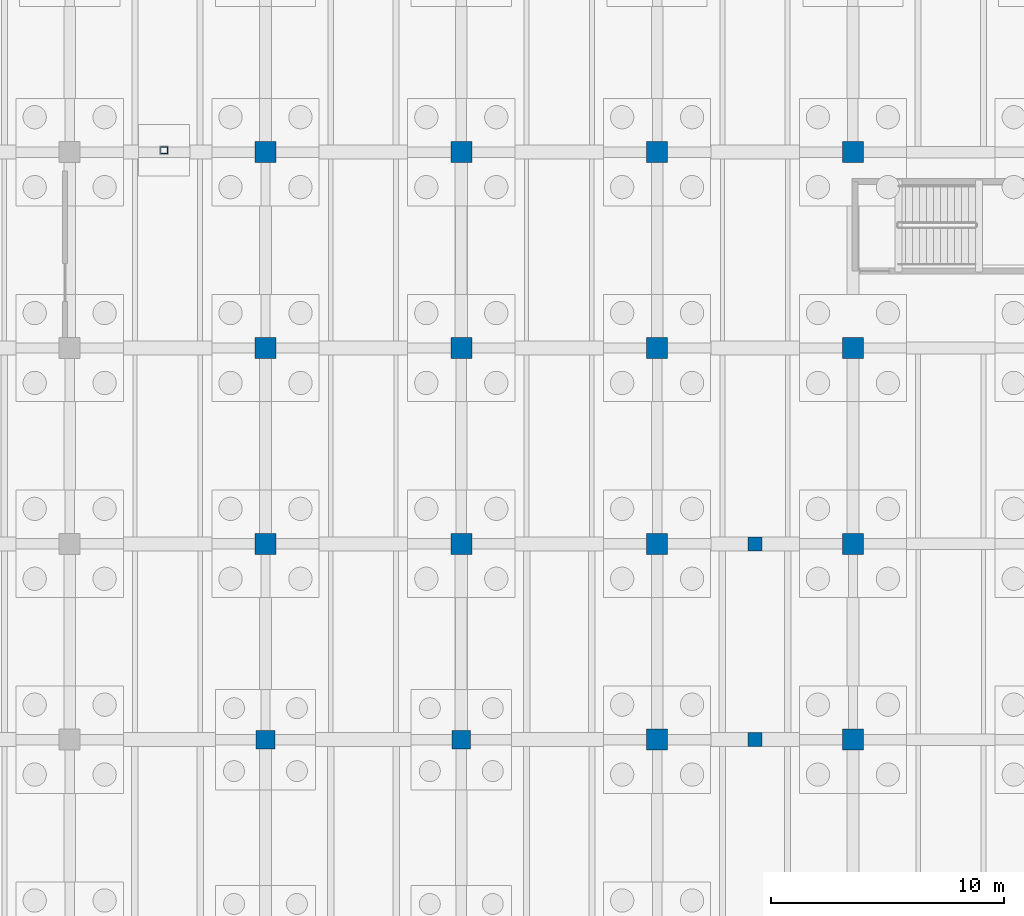
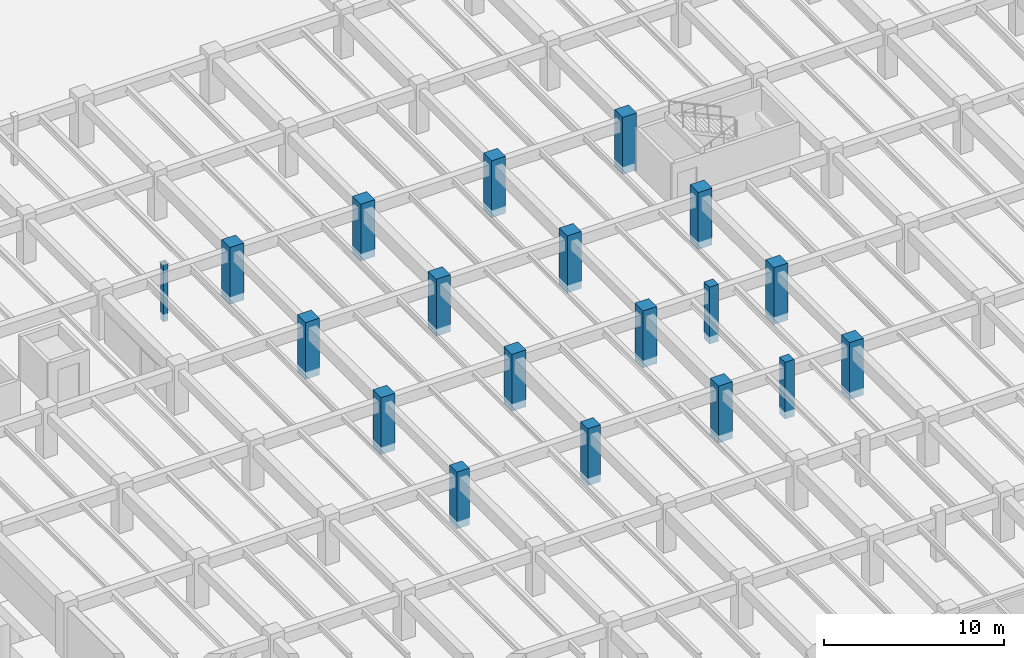
# One storey, part 14 of 70: 19 columns.
"""IFC4 building model written with IfcOpenShell, lengths in metres."""

from ifc_helpers import new_model, si_unit, direction, frame, origin, origin_2d, place, context, subcontext, project, spatial, rectangle, hollow_rectangle, extrude, material, material_profile, profile_set, type_object, element, save


model = new_model("IFC4")

# Units and contexts
model_context = context("Model", 3, precision=1e-05, world=origin(), true_north=direction((0.0, 1.0)))
body_context = subcontext(model_context, "Body", "Model", "MODEL_VIEW")
ifc_project = project(units=[si_unit("LENGTHUNIT", "METRE"), si_unit("AREAUNIT", "SQUARE_METRE"), si_unit("VOLUMEUNIT", "CUBIC_METRE"), si_unit("PLANEANGLEUNIT", "RADIAN"), si_unit("MASSUNIT", "GRAM", prefix="KILO")], contexts=[model_context])

# Site, building, storey
site_placement = place(None, origin())
site = spatial("IfcSite", under=ifc_project, at=site_placement, CompositionType="ELEMENT")
building_placement = place(site_placement, origin())
building = spatial("IfcBuilding", under=site, at=building_placement, Name="Cumbredor Promenade Congress Hotel", CompositionType="ELEMENT")
storey_placement = place(building_placement, frame((0.0, 0.0, -7.56005859375)))
storey = spatial("IfcBuildingStorey", under=building, at=storey_placement, Name="B02", CompositionType="ELEMENT", Elevation=-7.56005859375)

# Columns
ifc_material_1 = material(Name="Concrete C40/50", Category="concrete")
ifc_material_profile_1 = material_profile(ifc_material_1, rectangle(XDim=0.60009765625, YDim=0.60009765625, at=origin_2d()), Name="RC 600x600")
ifc_profile_set_1 = profile_set([ifc_material_profile_1], Name="Concrete C40/50")
column_type_1 = type_object("IfcColumnType", Name="COL-RC-600", PredefinedType="COLUMN", material=ifc_profile_set_1)
for number, where, z_axis, x_axis, name in (
    (1, (54.60009765625, 42.0, -0.5), (0.0, 0.0, 1.0), (1.0, 0.0, 0.0), "B02 Balcony Tier Mid-Raker Column Y42"),
    (2, (54.60009765625, 50.39990234375, -0.5), (0.0, 0.0, 1.0), (1.0, 0.0, 0.0), "B02 Balcony Tier Mid-Raker Column Y50"),
):
    element("IfcColumn", number, at=place(storey_placement, frame(where, z_axis=z_axis, x_axis=x_axis)), inside=storey, type_object=column_type_1, Name=name, PredefinedType="COLUMN", context=body_context, shape_type="SweptSolid", body=[
        extrude(rectangle(XDim=0.60009765625, YDim=0.60009765625, at=origin_2d()), origin(), (0.0, 0.0, 1.0), 3.860107421875),
    ])
ifc_material_2 = material(Name="Concrete C50/60", Category="concrete")
ifc_material_profile_2 = material_profile(ifc_material_2, rectangle(XDim=0.800048828125, YDim=0.800048828125, at=origin_2d()), Name="RC 800x800")
ifc_profile_set_2 = profile_set([ifc_material_profile_2], Name="Concrete C50/60")
column_type_2 = type_object("IfcColumnType", Name="COL-RC-800", PredefinedType="COLUMN", material=ifc_profile_set_2)
for number, where, z_axis, x_axis, name in (
    (3, (33.60009765625, 42.0, -0.5), (0.0, 0.0, 1.0), (1.0, 0.0, 0.0), "B02 Structural Column 050"),
    (4, (42.0, 42.0, -0.5), (0.0, 0.0, 1.0), (1.0, 0.0, 0.0), "B02 Structural Column 063"),
):
    element("IfcColumn", number, at=place(storey_placement, frame(where, z_axis=z_axis, x_axis=x_axis)), inside=storey, type_object=column_type_2, Name=name, PredefinedType="COLUMN", context=body_context, shape_type="SweptSolid", body=[
        extrude(rectangle(XDim=0.800048828125, YDim=0.800048828125, at=origin_2d()), origin(), (0.0, 0.0, 1.0), 3.860107421875),
    ])
ifc_material_profile_3 = material_profile(ifc_material_2, rectangle(XDim=0.89990234375, YDim=0.89990234375, at=origin_2d()), Name="RC 900x900")
ifc_profile_set_3 = profile_set([ifc_material_profile_3], Name="Concrete C50/60")
column_type_3 = type_object("IfcColumnType", Name="COL-RC-900", PredefinedType="COLUMN", material=ifc_profile_set_3)
for number, where, z_axis, x_axis, name in (
    (5, (33.60009765625, 50.39990234375, -0.5), (0.0, 0.0, 1.0), (1.0, 0.0, 0.0), "B02 Structural Column 051"),
    (6, (33.60009765625, 58.800048828125, -0.5), (0.0, 0.0, 1.0), (1.0, 0.0, 0.0), "B02 Structural Column 052"),
    (7, (33.60009765625, 67.199951171875, -0.5), (0.0, 0.0, 1.0), (1.0, 0.0, 0.0), "B02 Structural Column 053"),
    (8, (42.0, 50.39990234375, -0.5), (0.0, 0.0, 1.0), (1.0, 0.0, 0.0), "B02 Structural Column 064"),
    (9, (42.0, 58.800048828125, -0.5), (0.0, 0.0, 1.0), (1.0, 0.0, 0.0), "B02 Structural Column 065"),
    (10, (42.0, 67.199951171875, -0.5), (0.0, 0.0, 1.0), (1.0, 0.0, 0.0), "B02 Structural Column 066"),
    (11, (50.39990234375, 42.0, -0.5), (0.0, 0.0, 1.0), (1.0, 0.0, 0.0), "B02 Structural Column 076"),
    (12, (50.39990234375, 50.39990234375, -0.5), (0.0, 0.0, 1.0), (1.0, 0.0, 0.0), "B02 Structural Column 077"),
    (13, (50.39990234375, 58.800048828125, -0.5), (0.0, 0.0, 1.0), (1.0, 0.0, 0.0), "B02 Structural Column 078"),
    (14, (50.39990234375, 67.199951171875, -0.5), (0.0, 0.0, 1.0), (1.0, 0.0, 0.0), "B02 Structural Column 079"),
    (15, (58.800048828125, 42.0, -0.5), (0.0, 0.0, 1.0), (1.0, 0.0, 0.0), "B02 Structural Column 090"),
    (16, (58.800048828125, 50.39990234375, -0.5), (0.0, 0.0, 1.0), (1.0, 0.0, 0.0), "B02 Structural Column 091"),
    (17, (58.800048828125, 58.800048828125, -0.5), (0.0, 0.0, 1.0), (1.0, 0.0, 0.0), "B02 Structural Column 092"),
    (18, (58.800048828125, 67.199951171875, -0.5), (0.0, 0.0, 1.0), (1.0, 0.0, 0.0), "B02 Structural Column 093"),
):
    element("IfcColumn", number, at=place(storey_placement, frame(where, z_axis=z_axis, x_axis=x_axis)), inside=storey, type_object=column_type_3, Name=name, PredefinedType="COLUMN", context=body_context, shape_type="SweptSolid", body=[
        extrude(rectangle(XDim=0.89990234375, YDim=0.89990234375, at=origin_2d()), origin(), (0.0, 0.0, 1.0), 3.860107421875),
    ])
ifc_material_3 = material(Name="Steel ASTM A500 Grade C", Category="steel")
ifc_material_profile_4 = material_profile(ifc_material_3, hollow_rectangle(XDim=0.300048828125, YDim=0.300048828125, WallThickness=0.01611328125, at=origin_2d()), Name="HSS 300x300x16")
ifc_profile_set_4 = profile_set([ifc_material_profile_4], Name="Steel ASTM A500 Grade C")
column_type_4 = type_object("IfcColumnType", Name="COL-STL-HSS300", PredefinedType="COLUMN", material=ifc_profile_set_4)
column_placement = place(storey_placement, frame((29.25, 67.280029296875, -0.5), z_axis=(0.0, 0.0, 1.0), x_axis=(1.0, 0.0, 0.0)))
element("IfcColumn", 19, at=column_placement, inside=storey, type_object=column_type_4, Name="West Congress-to-Hotel Glazed Bridge B02 Substructure Pier 2", PredefinedType="COLUMN", context=body_context, shape_type="SweptSolid", body=[
    extrude(hollow_rectangle(XDim=0.300048828125, YDim=0.300048828125, WallThickness=0.01611328125, at=origin_2d()), origin(), (0.0, 0.0, 1.0), 3.860107421875),
])

save(model, "model.ifc")
